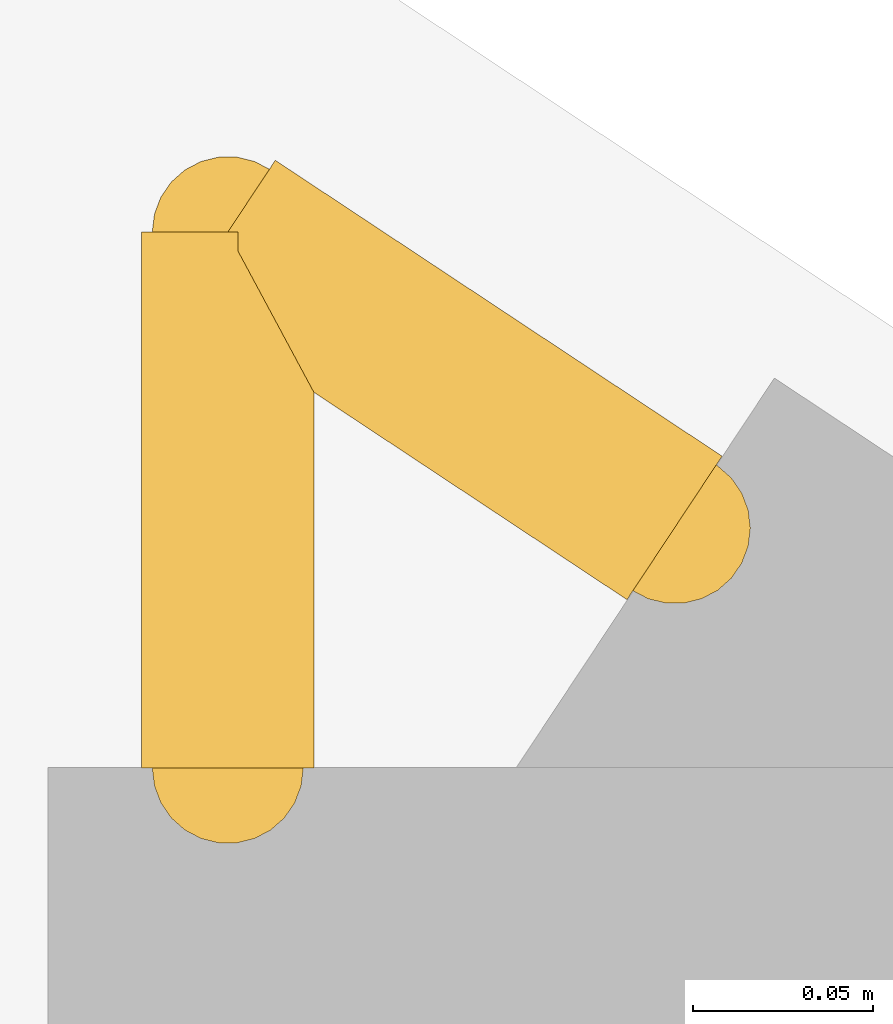
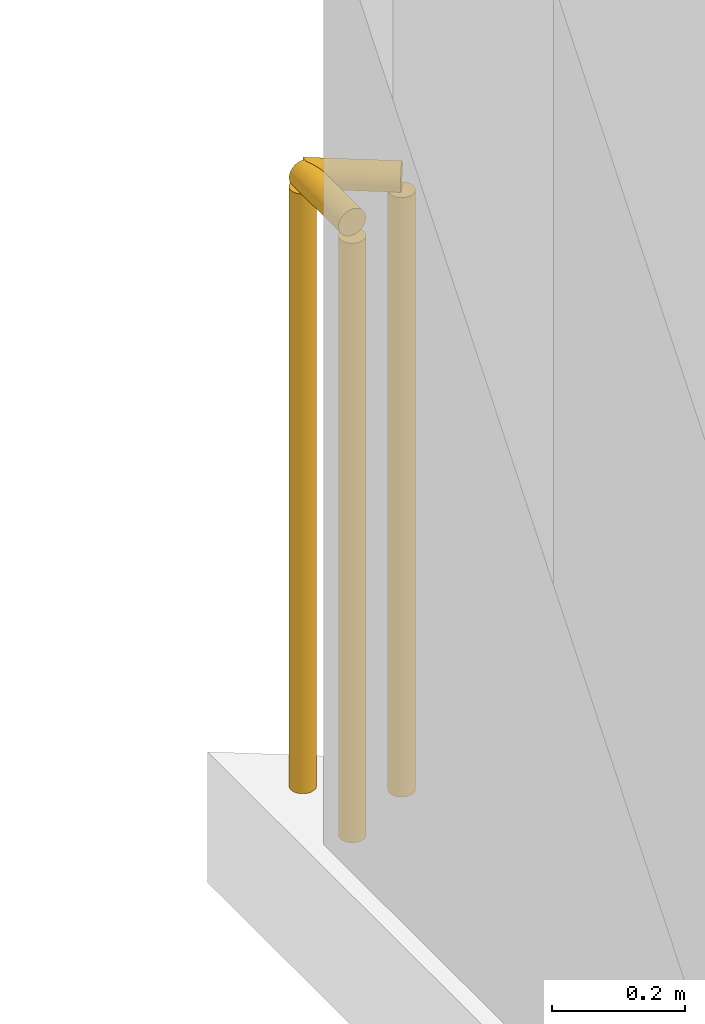
# One storey, part 17 of 18: 2 railings.
"""IFC4 building model written with IfcOpenShell, lengths in metres."""

from ifc_helpers import new_model, si_unit, direction, frame, origin, origin_2d, place, context, subcontext, project, spatial, circle, extrude, material, type_object, element, save


model = new_model("IFC4")

# Units and contexts
model_context = context("Model", 3, precision=1e-05, world=origin(), true_north=direction((0.0, 1.0)))
body_context = subcontext(model_context, "Body", "Model", "MODEL_VIEW")
ifc_project = project(units=[si_unit("LENGTHUNIT", "METRE"), si_unit("AREAUNIT", "SQUARE_METRE"), si_unit("VOLUMEUNIT", "CUBIC_METRE"), si_unit("PLANEANGLEUNIT", "RADIAN"), si_unit("MASSUNIT", "GRAM", prefix="KILO")], contexts=[model_context])

# Site, building, storey
site_placement = place(None, origin())
site = spatial("IfcSite", under=ifc_project, at=site_placement, CompositionType="ELEMENT")
building_placement = place(site_placement, origin())
building = spatial("IfcBuilding", under=site, at=building_placement, Name="Varnakote Quay Hospital", CompositionType="ELEMENT")
storey_placement = place(building_placement, frame((0.0, 0.0, 119.14990234375)))
storey = spatial("IfcBuildingStorey", under=building, at=storey_placement, Name="L29", CompositionType="ELEMENT", Elevation=119.14990234375)

# Railings
ifc_material = material(Name="Anodised aluminium 6063-T6 Bronze", Category="aluminium")
railing_type = type_object("IfcRailingType", Name="RLG-EXT-GUARD-1150", PredefinedType="GUARDRAIL", material=ifc_material)
railing_1_placement = place(storey_placement, frame((2.679931640625, 43.10205078125, 0.0)))
element("IfcRailing", 1, at=railing_1_placement, inside=storey, type_object=railing_type, Name="L29 Slab Edge Perimeter Safety Guard", PredefinedType="GUARDRAIL", context=body_context, shape_type="SweptSolid", body=[
    extrude(circle(Radius=0.02392578125, at=origin_2d()), frame((0.0, 0.0, 1.1259765625), z_axis=(0.0, 1.0, 0.0), x_axis=(-1.0, 0.0, 0.0)), (0.0, 0.0, 1.0), 0.14892578125),
    extrude(circle(Radius=0.02099609375, at=origin_2d()), origin(), (0.0, 0.0, 1.0), 1.101806640625),
    extrude(circle(Radius=0.02099609375, at=origin_2d()), frame((0.0, 0.14892578125, 0.0)), (0.0, 0.0, 1.0), 1.101806640625),
])
railing_2_placement = place(storey_placement, frame((2.679931640625, 43.2509765625, 0.0)))
element("IfcRailing", 2, at=railing_2_placement, inside=storey, type_object=railing_type, Name="L29 Slab Edge Perimeter Safety Guard", PredefinedType="GUARDRAIL", context=body_context, shape_type="SweptSolid", body=[
    extrude(circle(Radius=0.02392578125, at=origin_2d()), frame((0.0, 0.0, 1.1259765625), z_axis=(0.833810230731, -0.552051174374, 0.0), x_axis=(0.552051174374, 0.833810230731, 0.0)), (0.0, 0.0, 1.0), 0.14892578125),
    extrude(circle(Radius=0.02099609375, at=origin_2d()), origin(), (0.0, 0.0, 1.0), 1.101806640625),
    extrude(circle(Radius=0.02099609375, at=origin_2d()), frame((0.124267578125, -0.082275390625, 0.0)), (0.0, 0.0, 1.0), 1.101806640625),
])

save(model, "model.ifc")
